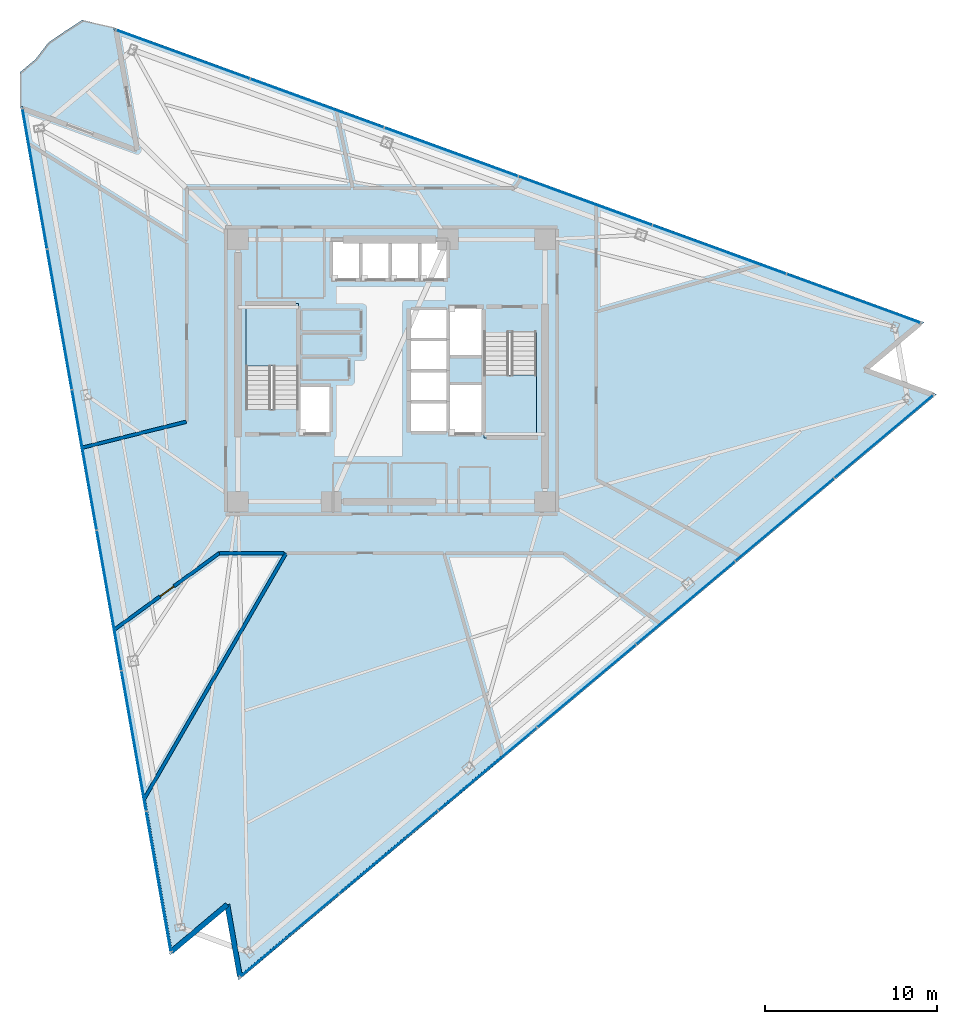
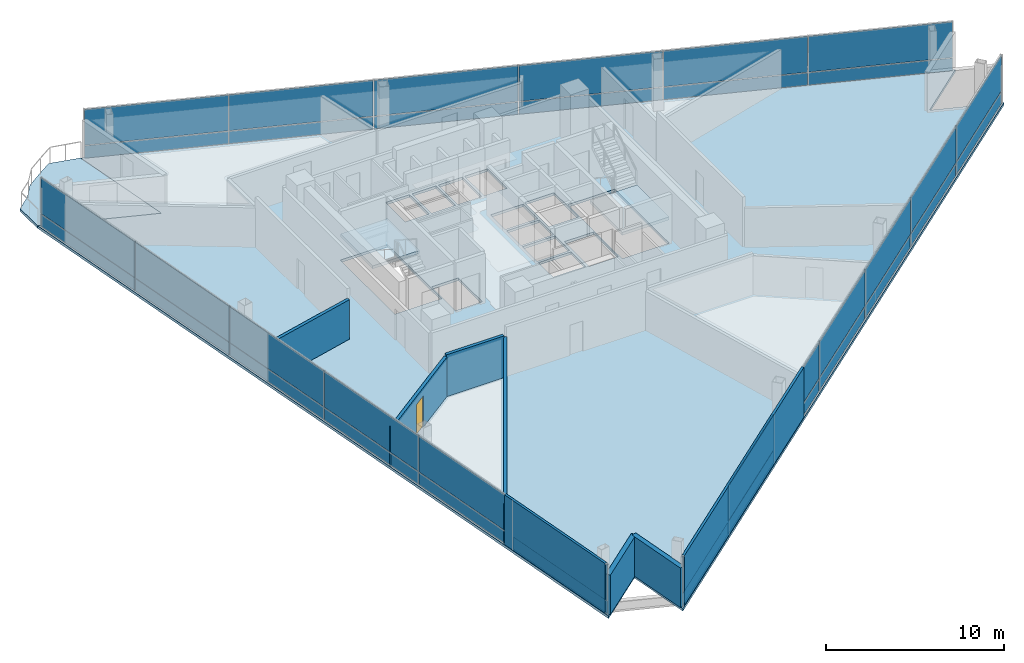
# One storey, part 9 of 15: 38 plates, 8 walls, 4 slabs, 1 door, 1 opening, 5 elements without a shape of their own.
"""IFC4 building model written with IfcOpenShell, lengths in metres."""

from ifc_helpers import new_model, si_unit, direction, frame, frame_2d, origin, origin_2d, place, context, subcontext, project, spatial, polyline, rectangle, outline, extrude, material, layer, layer_set, type_object, element, fill, aggregate, save


model = new_model("IFC4")

# Units and contexts
model_context = context("Model", 3, precision=1e-05, world=origin(), true_north=direction((0.0, 1.0)))
body_context = subcontext(model_context, "Body", "Model", "MODEL_VIEW")
ifc_project = project(units=[si_unit("LENGTHUNIT", "METRE"), si_unit("AREAUNIT", "SQUARE_METRE"), si_unit("VOLUMEUNIT", "CUBIC_METRE"), si_unit("PLANEANGLEUNIT", "RADIAN"), si_unit("MASSUNIT", "GRAM", prefix="KILO")], contexts=[model_context])

# Site, building, storey
site_placement = place(None, origin())
site = spatial("IfcSite", under=ifc_project, at=site_placement, CompositionType="ELEMENT")
building_placement = place(site_placement, origin())
building = spatial("IfcBuilding", under=site, at=building_placement, Name="Tharavind Bronze Gate", CompositionType="ELEMENT")
storey_placement = place(building_placement, frame((0.0, 0.0, 174.10009765625)))
storey = spatial("IfcBuildingStorey", under=building, at=storey_placement, Name="L44", CompositionType="ELEMENT", Elevation=174.10009765625)

# Curtain wall, plates
ifc_material_1 = material(Name="Anodised Bronze Aluminium", Category="aluminium")
ifc_layer_1 = layer(ifc_material_1, 0.219970703125)
ifc_layer_set_1 = layer_set([ifc_layer_1], Name="Anodised Bronze Aluminium")
curtain_wall_type = type_object("IfcCurtainWallType", Name="UNITISED CURTAIN WALL MID OFFICE", PredefinedType="USERDEFINED", material=ifc_layer_set_1)
curtain_wall_1_placement = place(storey_placement, origin())
curtain_wall_1 = element("IfcCurtainWall", 1, at=curtain_wall_1_placement, inside=storey, type_object=curtain_wall_type, Name="L44 unitised curtain wall mid office CW-L44-S1", ObjectType="UNITISED CURTAIN WALL", PredefinedType="USERDEFINED")
ifc_material_2 = material(Name="Patinated Bronze Alloy Sheet", Category="bronze")
ifc_layer_2 = layer(ifc_material_2, 0.01611328125)
ifc_layer_set_2 = layer_set([ifc_layer_2], Name="Patinated Bronze Alloy Sheet")
plate_type_1 = type_object("IfcPlateType", Name="BRONZE SPANDREL CLADDING PANEL 16", PredefinedType="CURTAIN_PANEL", material=ifc_layer_set_2)
plate_1_placement = place(storey_placement, frame((-20.678466796875, 11.118408203125, 0.0263671875), z_axis=(0.0, 0.0, 1.0), x_axis=(0.173648177667, -0.984807753012, 0.0)))
plate_1 = element("IfcPlate", 2, at=plate_1_placement, type_object=plate_type_1, Name="CW-L44-S1 bronze spandrel panel 1", PredefinedType="CURTAIN_PANEL", context=body_context, shape_type="SweptSolid", body=[
    extrude(rectangle(XDim=8.220458984375, YDim=0.01611328125, at=origin_2d()), origin(), (0.0, 0.0, 1.0), 0.846923828125),
])
plate_2_placement = place(storey_placement, frame((-19.24169921875, 2.970703125, 0.0263671875), z_axis=(0.0, 0.0, 1.0), x_axis=(0.173648177667, -0.984807753012, 0.0)))
plate_2 = element("IfcPlate", 3, at=plate_2_placement, type_object=plate_type_1, Name="CW-L44-S1 bronze spandrel panel 2", PredefinedType="CURTAIN_PANEL", context=body_context, shape_type="SweptSolid", body=[
    extrude(rectangle(XDim=8.220458984375, YDim=0.01611328125, at=origin_2d()), origin(), (0.0, 0.0, 1.0), 0.846923828125),
])
plate_3_placement = place(storey_placement, frame((-17.80517578125, -5.177001953125, 0.0263671875), z_axis=(0.0, 0.0, 1.0), x_axis=(0.173648177667, -0.984807753012, 0.0)))
plate_3 = element("IfcPlate", 4, at=plate_3_placement, type_object=plate_type_1, Name="CW-L44-S1 bronze spandrel panel 3", PredefinedType="CURTAIN_PANEL", context=body_context, shape_type="SweptSolid", body=[
    extrude(rectangle(XDim=8.220458984375, YDim=0.01611328125, at=origin_2d()), origin(), (0.0, 0.0, 1.0), 0.846923828125),
])
plate_4_placement = place(storey_placement, frame((-16.368408203125, -13.32470703125, 0.0263671875), z_axis=(0.0, 0.0, 1.0), x_axis=(0.173648177667, -0.984807753012, 0.0)))
plate_4 = element("IfcPlate", 5, at=plate_4_placement, type_object=plate_type_1, Name="CW-L44-S1 bronze spandrel panel 4", PredefinedType="CURTAIN_PANEL", context=body_context, shape_type="SweptSolid", body=[
    extrude(rectangle(XDim=8.220458984375, YDim=0.01611328125, at=origin_2d()), origin(), (0.0, 0.0, 1.0), 0.846923828125),
])
plate_5_placement = place(storey_placement, frame((-14.931884765625, -21.472412109375, 0.0263671875), z_axis=(0.0, 0.0, 1.0), x_axis=(0.173648177667, -0.984807753012, 0.0)))
plate_5 = element("IfcPlate", 6, at=plate_5_placement, type_object=plate_type_1, Name="CW-L44-S1 bronze spandrel panel 5", PredefinedType="CURTAIN_PANEL", context=body_context, shape_type="SweptSolid", body=[
    extrude(rectangle(XDim=8.220458984375, YDim=0.01611328125, at=origin_2d()), origin(), (0.0, 0.0, 1.0), 0.846923828125),
])
plate_6_placement = place(storey_placement, frame((-13.4951171875, -29.6201171875, 0.0263671875), z_axis=(0.0, 0.0, 1.0), x_axis=(0.173648177667, -0.984807753012, 0.0)))
plate_6 = element("IfcPlate", 7, at=plate_6_placement, type_object=plate_type_1, Name="CW-L44-S1 bronze spandrel panel 6", PredefinedType="CURTAIN_PANEL", context=body_context, shape_type="SweptSolid", body=[
    extrude(rectangle(XDim=8.220458984375, YDim=0.01611328125, at=origin_2d()), origin(), (0.0, 0.0, 1.0), 0.846923828125),
])

curtain_wall_2_placement = place(storey_placement, origin())
curtain_wall_2 = element("IfcCurtainWall", 8, at=curtain_wall_2_placement, inside=storey, type_object=curtain_wall_type, Name="L44 unitised curtain wall mid office CW-L44-S2", ObjectType="UNITISED CURTAIN WALL", PredefinedType="USERDEFINED")
plate_7_placement = place(storey_placement, frame((-5.913818359375, -32.737548828125, 0.0263671875), z_axis=(0.0, 0.0, 1.0), x_axis=(0.766043321242, 0.642788946685, 0.0)))
plate_7 = element("IfcPlate", 9, at=plate_7_placement, type_object=plate_type_1, Name="CW-L44-S2 bronze spandrel panel 1", PredefinedType="CURTAIN_PANEL", context=body_context, shape_type="SweptSolid", body=[
    extrude(rectangle(XDim=7.443115234375, YDim=0.01611328125, at=origin_2d()), origin(), (0.0, 0.0, 1.0), 0.846923828125),
])
plate_8_placement = place(storey_placement, frame((-0.171630859375, -27.919189453125, 0.0263671875), z_axis=(0.0, 0.0, 1.0), x_axis=(0.766043321242, 0.642788946685, 0.0)))
plate_8 = element("IfcPlate", 10, at=plate_8_placement, type_object=plate_type_1, Name="CW-L44-S2 bronze spandrel panel 2", PredefinedType="CURTAIN_PANEL", context=body_context, shape_type="SweptSolid", body=[
    extrude(rectangle(XDim=7.443115234375, YDim=0.01611328125, at=origin_2d()), origin(), (0.0, 0.0, 1.0), 0.846923828125),
])
plate_9_placement = place(storey_placement, frame((5.57080078125, -23.100830078125, 0.0263671875), z_axis=(0.0, 0.0, 1.0), x_axis=(0.766043321242, 0.642788946685, 0.0)))
plate_9 = element("IfcPlate", 11, at=plate_9_placement, type_object=plate_type_1, Name="CW-L44-S2 bronze spandrel panel 3", PredefinedType="CURTAIN_PANEL", context=body_context, shape_type="SweptSolid", body=[
    extrude(rectangle(XDim=7.443115234375, YDim=0.01611328125, at=origin_2d()), origin(), (0.0, 0.0, 1.0), 0.846923828125),
])
plate_10_placement = place(storey_placement, frame((11.31298828125, -18.282470703125, 0.0263671875), z_axis=(0.0, 0.0, 1.0), x_axis=(0.766043321242, 0.642788946685, 0.0)))
plate_10 = element("IfcPlate", 12, at=plate_10_placement, type_object=plate_type_1, Name="CW-L44-S2 bronze spandrel panel 4", PredefinedType="CURTAIN_PANEL", context=body_context, shape_type="SweptSolid", body=[
    extrude(rectangle(XDim=7.443115234375, YDim=0.01611328125, at=origin_2d()), origin(), (0.0, 0.0, 1.0), 0.846923828125),
])
plate_11_placement = place(storey_placement, frame((17.055419921875, -13.464111328125, 0.0263671875), z_axis=(0.0, 0.0, 1.0), x_axis=(0.766043321242, 0.642788946685, 0.0)))
plate_11 = element("IfcPlate", 13, at=plate_11_placement, type_object=plate_type_1, Name="CW-L44-S2 bronze spandrel panel 5", PredefinedType="CURTAIN_PANEL", context=body_context, shape_type="SweptSolid", body=[
    extrude(rectangle(XDim=7.443115234375, YDim=0.01611328125, at=origin_2d()), origin(), (0.0, 0.0, 1.0), 0.846923828125),
])
plate_12_placement = place(storey_placement, frame((22.797607421875, -8.645751953125, 0.0263671875), z_axis=(0.0, 0.0, 1.0), x_axis=(0.766043321242, 0.642788946685, 0.0)))
plate_12 = element("IfcPlate", 14, at=plate_12_placement, type_object=plate_type_1, Name="CW-L44-S2 bronze spandrel panel 6", PredefinedType="CURTAIN_PANEL", context=body_context, shape_type="SweptSolid", body=[
    extrude(rectangle(XDim=7.443115234375, YDim=0.01611328125, at=origin_2d()), origin(), (0.0, 0.0, 1.0), 0.846923828125),
])
plate_13_placement = place(storey_placement, frame((28.539794921875, -3.827392578125, 0.0263671875), z_axis=(0.0, 0.0, 1.0), x_axis=(0.766043321242, 0.642788946685, 0.0)))
plate_13 = element("IfcPlate", 15, at=plate_13_placement, type_object=plate_type_1, Name="CW-L44-S2 bronze spandrel panel 7", PredefinedType="CURTAIN_PANEL", context=body_context, shape_type="SweptSolid", body=[
    extrude(rectangle(XDim=7.443115234375, YDim=0.01611328125, at=origin_2d()), origin(), (0.0, 0.0, 1.0), 0.846923828125),
])

curtain_wall_3_placement = place(storey_placement, origin())
curtain_wall_3 = element("IfcCurtainWall", 16, at=curtain_wall_3_placement, inside=storey, type_object=curtain_wall_type, Name="L44 unitised curtain wall mid office CW-L44-S3", ObjectType="UNITISED CURTAIN WALL", PredefinedType="USERDEFINED")
plate_14_placement = place(storey_placement, frame((26.7861328125, 4.18017578125, 0.0263671875), z_axis=(0.0, 0.0, 1.0), x_axis=(-0.939692023847, 0.342021783398, 0.0)))
plate_14 = element("IfcPlate", 17, at=plate_14_placement, type_object=plate_type_1, Name="CW-L44-S3 bronze spandrel panel 1", PredefinedType="CURTAIN_PANEL", context=body_context, shape_type="SweptSolid", body=[
    extrude(rectangle(XDim=8.220458984375, YDim=0.01611328125, at=origin_2d()), origin(), (0.0, 0.0, 1.0), 0.846923828125),
])
plate_15_placement = place(storey_placement, frame((19.01171875, 7.009765625, 0.0263671875), z_axis=(0.0, 0.0, 1.0), x_axis=(-0.939692023847, 0.342021783398, 0.0)))
plate_15 = element("IfcPlate", 18, at=plate_15_placement, type_object=plate_type_1, Name="CW-L44-S3 bronze spandrel panel 2", PredefinedType="CURTAIN_PANEL", context=body_context, shape_type="SweptSolid", body=[
    extrude(rectangle(XDim=8.220458984375, YDim=0.01611328125, at=origin_2d()), origin(), (0.0, 0.0, 1.0), 0.846923828125),
])
plate_16_placement = place(storey_placement, frame((11.2373046875, 9.839599609375, 0.0263671875), z_axis=(0.0, 0.0, 1.0), x_axis=(-0.939692023847, 0.342021783398, 0.0)))
plate_16 = element("IfcPlate", 19, at=plate_16_placement, type_object=plate_type_1, Name="CW-L44-S3 bronze spandrel panel 3", PredefinedType="CURTAIN_PANEL", context=body_context, shape_type="SweptSolid", body=[
    extrude(rectangle(XDim=8.220458984375, YDim=0.01611328125, at=origin_2d()), origin(), (0.0, 0.0, 1.0), 0.846923828125),
])
plate_17_placement = place(storey_placement, frame((3.462890625, 12.669189453125, 0.0263671875), z_axis=(0.0, 0.0, 1.0), x_axis=(-0.939692023847, 0.342021783398, 0.0)))
plate_17 = element("IfcPlate", 20, at=plate_17_placement, type_object=plate_type_1, Name="CW-L44-S3 bronze spandrel panel 4", PredefinedType="CURTAIN_PANEL", context=body_context, shape_type="SweptSolid", body=[
    extrude(rectangle(XDim=8.220458984375, YDim=0.01611328125, at=origin_2d()), origin(), (0.0, 0.0, 1.0), 0.846923828125),
])
plate_18_placement = place(storey_placement, frame((-4.3115234375, 15.498779296875, 0.0263671875), z_axis=(0.0, 0.0, 1.0), x_axis=(-0.939692023847, 0.342021783398, 0.0)))
plate_18 = element("IfcPlate", 21, at=plate_18_placement, type_object=plate_type_1, Name="CW-L44-S3 bronze spandrel panel 5", PredefinedType="CURTAIN_PANEL", context=body_context, shape_type="SweptSolid", body=[
    extrude(rectangle(XDim=8.220458984375, YDim=0.01611328125, at=origin_2d()), origin(), (0.0, 0.0, 1.0), 0.846923828125),
])
plate_19_placement = place(storey_placement, frame((-12.0859375, 18.32861328125, 0.0263671875), z_axis=(0.0, 0.0, 1.0), x_axis=(-0.939692023847, 0.342021783398, 0.0)))
plate_19 = element("IfcPlate", 22, at=plate_19_placement, type_object=plate_type_1, Name="CW-L44-S3 bronze spandrel panel 6", PredefinedType="CURTAIN_PANEL", context=body_context, shape_type="SweptSolid", body=[
    extrude(rectangle(XDim=8.220458984375, YDim=0.01611328125, at=origin_2d()), origin(), (0.0, 0.0, 1.0), 0.846923828125),
])

# Slab
ifc_material_3 = material(Name="Concrete C40/50", Category="concrete")
ifc_layer_3 = layer(ifc_material_3, 0.179931640625)
ifc_layer_set_3 = layer_set([ifc_layer_3], Name="Concrete C40/50")
slab_type_1 = type_object("IfcSlabType", Name="EXTERIOR BALCONY SLAB 180", PredefinedType="FLOOR", material=ifc_layer_set_3)
slab_1_placement = place(storey_placement, frame((0.0, 0.0, -0.18017578125)))
element("IfcSlab", 23, at=slab_1_placement, inside=storey, type_object=slab_type_1, Name="L44 northeast tree balcony slab", PredefinedType="FLOOR", context=body_context, shape_type="SweptSolid", body=[
    extrude(outline(polyline([(-17.92333984375, 20.325927734375), (-18.92236328125, 19.680908203125), (-19.8984375, 19.00830078125), (-20.635009765625, 18.050537109375), (-21.5390625, 17.2919921875), (-21.525390625, 15.345458984375), (-14.872314453125, 12.924072265625), (-16.101806640625, 19.896484375), (-17.92333984375, 20.325927734375)])), origin(), (0.0, 0.0, 1.0), 0.18017578125),
])

# Stair, slab
stair_type = type_object("IfcStairType", Name="CORE HALF TURN STAIR 1450", PredefinedType="HALF_TURN_STAIR", material=ifc_material_3)
stair_1_placement = place(storey_placement, origin())
stair_1 = element("IfcStair", 24, at=stair_1_placement, inside=storey, type_object=stair_type, Name="L44 Protected Exit Stair ST1", PredefinedType="HALF_TURN_STAIR")
ifc_layer_4 = layer(ifc_material_3, 0.199951171875)
ifc_layer_set_4 = layer_set([ifc_layer_4], Name="Concrete C40/50")
slab_type_2 = type_object("IfcSlabType", Name="STAIR LANDING SLAB 200", PredefinedType="LANDING", material=ifc_layer_set_4)
slab_2_placement = place(storey_placement, frame((0.0, 0.0, 1.599853515625)))
slab_2 = element("IfcSlab", 25, at=slab_2_placement, type_object=slab_type_2, Name="ST1 landing 1", PredefinedType="LANDING", context=body_context, shape_type="SweptSolid", body=[
    extrude(outline(polyline([(-5.39990234375, 0.27001953125), (-5.39990234375, 3.89990234375), (-8.449951171875, 3.89990234375), (-8.449951171875, 0.27001953125), (-5.39990234375, 0.27001953125)])), origin(), (0.0, 0.0, 1.0), 0.199951171875),
])
aggregate(stair_1, [slab_2])

stair_2_placement = place(storey_placement, origin())
stair_2 = element("IfcStair", 26, at=stair_2_placement, inside=storey, type_object=stair_type, Name="L44 Protected Exit Stair ST2", PredefinedType="HALF_TURN_STAIR")
slab_3_placement = place(storey_placement, frame((0.0, 0.0, 1.599853515625)))
slab_3 = element("IfcSlab", 27, at=slab_3_placement, type_object=slab_type_2, Name="ST2 landing 1", PredefinedType="LANDING", context=body_context, shape_type="SweptSolid", body=[
    extrude(outline(polyline([(5.35009765625, -0.27001953125), (5.35009765625, -3.89990234375), (8.39990234375, -3.89990234375), (8.39990234375, -0.27001953125), (5.35009765625, -0.27001953125)])), origin(), (0.0, 0.0, 1.0), 0.199951171875),
])
aggregate(stair_2, [slab_3])

# Slab
ifc_layer_5 = layer(ifc_material_3, 0.179931640625)
ifc_layer_set_5 = layer_set([ifc_layer_5], Name="Concrete C40/50")
slab_type_3 = type_object("IfcSlabType", Name="STRUCTURAL FLOOR SLAB 180", PredefinedType="FLOOR", material=ifc_layer_set_5)
slab_4_placement = place(storey_placement, frame((0.0, 0.0, -0.18017578125)))
element("IfcSlab", 28, at=slab_4_placement, inside=storey, type_object=slab_type_3, Name="L44 main structural floor slab", PredefinedType="FLOOR", context=body_context, shape_type="SweptSolid", body=[
    extrude(outline(polyline([(-16.101806640625, 19.896484375), (-14.872314453125, 12.924072265625), (-21.525390625, 15.345458984375), (-12.84521484375, -33.881591796875), (-9.591064453125, -31.151123046875), (-8.853515625, -35.334716796875), (31.60791015625, -1.38330078125), (27.6162109375, 0.069580078125), (30.870361328125, 2.800048828125), (-16.101806640625, 19.896484375)]), holes=[polyline([(-5.39990234375, -2.215087890625), (-5.39990234375, 3.89990234375), (-8.449951171875, 3.89990234375), (-8.449951171875, -2.215087890625), (-5.39990234375, -2.215087890625)]), polyline([(5.35009765625, 2.215087890625), (5.35009765625, -3.89990234375), (8.39990234375, -3.89990234375), (8.39990234375, 2.215087890625), (5.35009765625, 2.215087890625)]), polyline([(-3.419921875, 5.330078125), (-1.867431640625, 5.330078125), (-1.867431640625, 7.52001953125), (-3.419921875, 7.52001953125), (-3.419921875, 5.330078125)]), polyline([(-1.70751953125, 5.330078125), (-0.155029296875, 5.330078125), (-0.155029296875, 7.52001953125), (-1.70751953125, 7.52001953125), (-1.70751953125, 5.330078125)]), polyline([(0.0048828125, 5.330078125), (1.5576171875, 5.330078125), (1.5576171875, 7.52001953125), (0.0048828125, 7.52001953125), (0.0048828125, 5.330078125)]), polyline([(1.717529296875, 5.330078125), (3.199951171875, 5.330078125), (3.199951171875, 7.52001953125), (1.717529296875, 7.52001953125), (1.717529296875, 5.330078125)]), polyline([(1.080078125, -3.52001953125), (3.199951171875, -3.52001953125), (3.199951171875, -1.8798828125), (1.080078125, -1.8798828125), (1.080078125, -3.52001953125)]), polyline([(1.080078125, -1.719970703125), (3.199951171875, -1.719970703125), (3.199951171875, -0.080078125), (1.080078125, -0.080078125), (1.080078125, -1.719970703125)]), polyline([(1.080078125, 0.080078125), (3.199951171875, 0.080078125), (3.199951171875, 1.719970703125), (1.080078125, 1.719970703125), (1.080078125, 0.080078125)]), polyline([(1.080078125, 1.8798828125), (3.199951171875, 1.8798828125), (3.199951171875, 3.52001953125), (1.080078125, 3.52001953125), (1.080078125, 1.8798828125)]), polyline([(-5.320068359375, -3.6201171875), (-3.580078125, -3.6201171875), (-3.580078125, -0.929931640625), (-5.320068359375, -0.929931640625), (-5.320068359375, -3.6201171875)]), polyline([(3.360107421875, 0.8798828125), (5.27001953125, 0.8798828125), (5.27001953125, 3.6201171875), (3.360107421875, 3.6201171875), (3.360107421875, 0.8798828125)]), polyline([(3.360107421875, -3.6201171875), (5.27001953125, -3.6201171875), (5.27001953125, -0.830078125), (3.360107421875, -0.830078125), (3.360107421875, -3.6201171875)])]), origin(), (0.0, 0.0, 1.0), 0.18017578125),
])

# Plate
ifc_material_4 = material(Name="Triple Solar Control Glazing", Category="glass")
ifc_layer_6 = layer(ifc_material_4, 0.0439453125)
ifc_layer_set_6 = layer_set([ifc_layer_6], Name="Triple Solar Control Glazing")
plate_type_2 = type_object("IfcPlateType", Name="TRIPLE GLAZED FACADE PANEL 44", PredefinedType="CURTAIN_PANEL", material=ifc_layer_set_6)
plate_20_placement = place(storey_placement, frame((-20.678466796875, 11.118408203125, 0.92626953125), z_axis=(0.0, 0.0, 1.0), x_axis=(0.173648177667, -0.984807753012, 0.0)))
plate_20 = element("IfcPlate", 29, at=plate_20_placement, type_object=plate_type_2, Name="CW-L44-S1 vision glazing panel 1", PredefinedType="CURTAIN_PANEL", context=body_context, shape_type="SweptSolid", body=[
    extrude(rectangle(XDim=8.220458984375, YDim=0.0439453125, at=origin_2d()), origin(), (0.0, 0.0, 1.0), 2.467041015625),
])

plate_21_placement = place(storey_placement, frame((-19.24169921875, 2.970703125, 0.92626953125), z_axis=(0.0, 0.0, 1.0), x_axis=(0.173648177667, -0.984807753012, 0.0)))
plate_21 = element("IfcPlate", 30, at=plate_21_placement, type_object=plate_type_2, Name="CW-L44-S1 vision glazing panel 2", PredefinedType="CURTAIN_PANEL", context=body_context, shape_type="SweptSolid", body=[
    extrude(rectangle(XDim=8.220458984375, YDim=0.0439453125, at=origin_2d()), origin(), (0.0, 0.0, 1.0), 2.467041015625),
])

plate_22_placement = place(storey_placement, frame((-17.80517578125, -5.177001953125, 0.92626953125), z_axis=(0.0, 0.0, 1.0), x_axis=(0.173648177667, -0.984807753012, 0.0)))
plate_22 = element("IfcPlate", 31, at=plate_22_placement, type_object=plate_type_2, Name="CW-L44-S1 vision glazing panel 3", PredefinedType="CURTAIN_PANEL", context=body_context, shape_type="SweptSolid", body=[
    extrude(rectangle(XDim=8.220458984375, YDim=0.0439453125, at=origin_2d()), origin(), (0.0, 0.0, 1.0), 2.467041015625),
])

plate_23_placement = place(storey_placement, frame((-16.368408203125, -13.32470703125, 0.92626953125), z_axis=(0.0, 0.0, 1.0), x_axis=(0.173648177667, -0.984807753012, 0.0)))
plate_23 = element("IfcPlate", 32, at=plate_23_placement, type_object=plate_type_2, Name="CW-L44-S1 vision glazing panel 4", PredefinedType="CURTAIN_PANEL", context=body_context, shape_type="SweptSolid", body=[
    extrude(rectangle(XDim=8.220458984375, YDim=0.0439453125, at=origin_2d()), origin(), (0.0, 0.0, 1.0), 2.467041015625),
])

plate_24_placement = place(storey_placement, frame((-14.931884765625, -21.472412109375, 0.92626953125), z_axis=(0.0, 0.0, 1.0), x_axis=(0.173648177667, -0.984807753012, 0.0)))
plate_24 = element("IfcPlate", 33, at=plate_24_placement, type_object=plate_type_2, Name="CW-L44-S1 vision glazing panel 5", PredefinedType="CURTAIN_PANEL", context=body_context, shape_type="SweptSolid", body=[
    extrude(rectangle(XDim=8.220458984375, YDim=0.0439453125, at=origin_2d()), origin(), (0.0, 0.0, 1.0), 2.467041015625),
])

plate_25_placement = place(storey_placement, frame((-13.4951171875, -29.6201171875, 0.92626953125), z_axis=(0.0, 0.0, 1.0), x_axis=(0.173648177667, -0.984807753012, 0.0)))
plate_25 = element("IfcPlate", 34, at=plate_25_placement, type_object=plate_type_2, Name="CW-L44-S1 vision glazing panel 6", PredefinedType="CURTAIN_PANEL", context=body_context, shape_type="SweptSolid", body=[
    extrude(rectangle(XDim=8.220458984375, YDim=0.0439453125, at=origin_2d()), origin(), (0.0, 0.0, 1.0), 2.467041015625),
])

aggregate(curtain_wall_1, [plate_1, plate_20, plate_2, plate_21, plate_3, plate_22, plate_4, plate_23, plate_5, plate_24, plate_6, plate_25])

plate_26_placement = place(storey_placement, frame((-5.913818359375, -32.737548828125, 0.92626953125), z_axis=(0.0, 0.0, 1.0), x_axis=(0.766043321242, 0.642788946685, 0.0)))
plate_26 = element("IfcPlate", 35, at=plate_26_placement, type_object=plate_type_2, Name="CW-L44-S2 vision glazing panel 1", PredefinedType="CURTAIN_PANEL", context=body_context, shape_type="SweptSolid", body=[
    extrude(rectangle(XDim=7.443115234375, YDim=0.0439453125, at=origin_2d()), origin(), (0.0, 0.0, 1.0), 2.467041015625),
])

plate_27_placement = place(storey_placement, frame((-0.171630859375, -27.919189453125, 0.92626953125), z_axis=(0.0, 0.0, 1.0), x_axis=(0.766043321242, 0.642788946685, 0.0)))
plate_27 = element("IfcPlate", 36, at=plate_27_placement, type_object=plate_type_2, Name="CW-L44-S2 vision glazing panel 2", PredefinedType="CURTAIN_PANEL", context=body_context, shape_type="SweptSolid", body=[
    extrude(rectangle(XDim=7.443115234375, YDim=0.0439453125, at=origin_2d()), origin(), (0.0, 0.0, 1.0), 2.467041015625),
])

plate_28_placement = place(storey_placement, frame((5.57080078125, -23.100830078125, 0.92626953125), z_axis=(0.0, 0.0, 1.0), x_axis=(0.766043321242, 0.642788946685, 0.0)))
plate_28 = element("IfcPlate", 37, at=plate_28_placement, type_object=plate_type_2, Name="CW-L44-S2 vision glazing panel 3", PredefinedType="CURTAIN_PANEL", context=body_context, shape_type="SweptSolid", body=[
    extrude(rectangle(XDim=7.443115234375, YDim=0.0439453125, at=origin_2d()), origin(), (0.0, 0.0, 1.0), 2.467041015625),
])

plate_29_placement = place(storey_placement, frame((11.31298828125, -18.282470703125, 0.92626953125), z_axis=(0.0, 0.0, 1.0), x_axis=(0.766043321242, 0.642788946685, 0.0)))
plate_29 = element("IfcPlate", 38, at=plate_29_placement, type_object=plate_type_2, Name="CW-L44-S2 vision glazing panel 4", PredefinedType="CURTAIN_PANEL", context=body_context, shape_type="SweptSolid", body=[
    extrude(rectangle(XDim=7.443115234375, YDim=0.0439453125, at=origin_2d()), origin(), (0.0, 0.0, 1.0), 2.467041015625),
])

plate_30_placement = place(storey_placement, frame((17.055419921875, -13.464111328125, 0.92626953125), z_axis=(0.0, 0.0, 1.0), x_axis=(0.766043321242, 0.642788946685, 0.0)))
plate_30 = element("IfcPlate", 39, at=plate_30_placement, type_object=plate_type_2, Name="CW-L44-S2 vision glazing panel 5", PredefinedType="CURTAIN_PANEL", context=body_context, shape_type="SweptSolid", body=[
    extrude(rectangle(XDim=7.443115234375, YDim=0.0439453125, at=origin_2d()), origin(), (0.0, 0.0, 1.0), 2.467041015625),
])

plate_31_placement = place(storey_placement, frame((22.797607421875, -8.645751953125, 0.92626953125), z_axis=(0.0, 0.0, 1.0), x_axis=(0.766043321242, 0.642788946685, 0.0)))
plate_31 = element("IfcPlate", 40, at=plate_31_placement, type_object=plate_type_2, Name="CW-L44-S2 vision glazing panel 6", PredefinedType="CURTAIN_PANEL", context=body_context, shape_type="SweptSolid", body=[
    extrude(rectangle(XDim=7.443115234375, YDim=0.0439453125, at=origin_2d()), origin(), (0.0, 0.0, 1.0), 2.467041015625),
])

plate_32_placement = place(storey_placement, frame((28.539794921875, -3.827392578125, 0.92626953125), z_axis=(0.0, 0.0, 1.0), x_axis=(0.766043321242, 0.642788946685, 0.0)))
plate_32 = element("IfcPlate", 41, at=plate_32_placement, type_object=plate_type_2, Name="CW-L44-S2 vision glazing panel 7", PredefinedType="CURTAIN_PANEL", context=body_context, shape_type="SweptSolid", body=[
    extrude(rectangle(XDim=7.443115234375, YDim=0.0439453125, at=origin_2d()), origin(), (0.0, 0.0, 1.0), 2.467041015625),
])

aggregate(curtain_wall_2, [plate_7, plate_26, plate_8, plate_27, plate_9, plate_28, plate_10, plate_29, plate_11, plate_30, plate_12, plate_31, plate_13, plate_32])

plate_33_placement = place(storey_placement, frame((26.7861328125, 4.18017578125, 0.92626953125), z_axis=(0.0, 0.0, 1.0), x_axis=(-0.939692023847, 0.342021783398, 0.0)))
plate_33 = element("IfcPlate", 42, at=plate_33_placement, type_object=plate_type_2, Name="CW-L44-S3 vision glazing panel 1", PredefinedType="CURTAIN_PANEL", context=body_context, shape_type="SweptSolid", body=[
    extrude(rectangle(XDim=8.220458984375, YDim=0.0439453125, at=origin_2d()), origin(), (0.0, 0.0, 1.0), 2.467041015625),
])

plate_34_placement = place(storey_placement, frame((19.01171875, 7.009765625, 0.92626953125), z_axis=(0.0, 0.0, 1.0), x_axis=(-0.939692023847, 0.342021783398, 0.0)))
plate_34 = element("IfcPlate", 43, at=plate_34_placement, type_object=plate_type_2, Name="CW-L44-S3 vision glazing panel 2", PredefinedType="CURTAIN_PANEL", context=body_context, shape_type="SweptSolid", body=[
    extrude(rectangle(XDim=8.220458984375, YDim=0.0439453125, at=origin_2d()), origin(), (0.0, 0.0, 1.0), 2.467041015625),
])

plate_35_placement = place(storey_placement, frame((11.2373046875, 9.839599609375, 0.92626953125), z_axis=(0.0, 0.0, 1.0), x_axis=(-0.939692023847, 0.342021783398, 0.0)))
plate_35 = element("IfcPlate", 44, at=plate_35_placement, type_object=plate_type_2, Name="CW-L44-S3 vision glazing panel 3", PredefinedType="CURTAIN_PANEL", context=body_context, shape_type="SweptSolid", body=[
    extrude(rectangle(XDim=8.220458984375, YDim=0.0439453125, at=origin_2d()), origin(), (0.0, 0.0, 1.0), 2.467041015625),
])

plate_36_placement = place(storey_placement, frame((3.462890625, 12.669189453125, 0.92626953125), z_axis=(0.0, 0.0, 1.0), x_axis=(-0.939692023847, 0.342021783398, 0.0)))
plate_36 = element("IfcPlate", 45, at=plate_36_placement, type_object=plate_type_2, Name="CW-L44-S3 vision glazing panel 4", PredefinedType="CURTAIN_PANEL", context=body_context, shape_type="SweptSolid", body=[
    extrude(rectangle(XDim=8.220458984375, YDim=0.0439453125, at=origin_2d()), origin(), (0.0, 0.0, 1.0), 2.467041015625),
])

plate_37_placement = place(storey_placement, frame((-4.3115234375, 15.498779296875, 0.92626953125), z_axis=(0.0, 0.0, 1.0), x_axis=(-0.939692023847, 0.342021783398, 0.0)))
plate_37 = element("IfcPlate", 46, at=plate_37_placement, type_object=plate_type_2, Name="CW-L44-S3 vision glazing panel 5", PredefinedType="CURTAIN_PANEL", context=body_context, shape_type="SweptSolid", body=[
    extrude(rectangle(XDim=8.220458984375, YDim=0.0439453125, at=origin_2d()), origin(), (0.0, 0.0, 1.0), 2.467041015625),
])

plate_38_placement = place(storey_placement, frame((-12.0859375, 18.32861328125, 0.92626953125), z_axis=(0.0, 0.0, 1.0), x_axis=(-0.939692023847, 0.342021783398, 0.0)))
plate_38 = element("IfcPlate", 47, at=plate_38_placement, type_object=plate_type_2, Name="CW-L44-S3 vision glazing panel 6", PredefinedType="CURTAIN_PANEL", context=body_context, shape_type="SweptSolid", body=[
    extrude(rectangle(XDim=8.220458984375, YDim=0.0439453125, at=origin_2d()), origin(), (0.0, 0.0, 1.0), 2.467041015625),
])

aggregate(curtain_wall_3, [plate_14, plate_33, plate_15, plate_34, plate_16, plate_35, plate_17, plate_36, plate_18, plate_37, plate_19, plate_38])

# Walls
ifc_layer_7 = layer(ifc_material_3, 0.300048828125)
ifc_layer_set_7 = layer_set([ifc_layer_7], Name="Concrete C40/50")
wall_type_1 = type_object("IfcWallType", Name="EXTERIOR SPANDREL WALL 300", PredefinedType="STANDARD", material=ifc_layer_set_7)
for number, where, z_axis, x_axis, name in (
    (48, (-12.77685546875, -33.69384765625, 0.0), (0.0, 0.0, 1.0), (0.766026302848, 0.6428092278, 0.0), "L44 notch cheek wall 2A"),
    (49, (-9.522705078125, -30.963134765625, 0.0), (0.0, 0.0, 1.0), (0.173673864443, -0.984803223395, 0.0), "L44 notch cheek wall 2B"),
):
    element("IfcWall", number, at=place(storey_placement, frame(where, z_axis=z_axis, x_axis=x_axis)), inside=storey, type_object=wall_type_1, Name=name, PredefinedType="STANDARD", context=body_context, shape_type="SweptSolid", body=[
        extrude(rectangle(XDim=4.248046875, YDim=0.300048828125, at=frame_2d((2.1240234375, 0.0))), origin(), (0.0, 0.0, 1.0), 2.71484375),
    ])
ifc_material_5 = material(Name="Aerated Concrete Block", Category="concrete")
ifc_layer_8 = layer(ifc_material_5, 0.199951171875)
ifc_layer_set_8 = layer_set([ifc_layer_8], Name="Aerated Concrete Block")
wall_type_2 = type_object("IfcWallType", Name="FIRE RATED PARTITION 200", PredefinedType="PARTITIONING", material=ifc_layer_set_8)
wall_1_placement = place(storey_placement, frame((-11.89892578125, -2.966796875, 0.0), z_axis=(0.0, 0.0, 1.0), x_axis=(-0.970297784216, -0.241913641505, 0.0)))
element("IfcWall", 50, at=wall_1_placement, inside=storey, type_object=wall_type_2, Name="L44 Public Restrooms Block partition", PredefinedType="PARTITIONING", context=body_context, shape_type="SweptSolid", body=[
    extrude(rectangle(XDim=6.1884765625, YDim=0.199951171875, at=frame_2d((3.09423828125, 0.0))), origin(), (0.0, 0.0, 1.0), 2.71484375),
])
wall_2_placement = place(storey_placement, frame((-14.334228515625, -24.82763671875, 0.0), z_axis=(0.0, 0.0, 1.0), x_axis=(0.500004877517, 0.866022587731, 0.0)))
element("IfcWall", 51, at=wall_2_placement, inside=storey, type_object=wall_type_2, Name="L44 Public Restrooms Block partition", PredefinedType="PARTITIONING", context=body_context, shape_type="SweptSolid", body=[
    extrude(rectangle(XDim=16.437255859375, YDim=0.199951171875, at=frame_2d((8.21875, 0.0))), origin(), (0.0, 0.0, 1.0), 2.71484375),
])

# Wall, opening, door
wall_3_placement = place(storey_placement, frame((-16.06884765625, -15.023681640625, 0.0), z_axis=(0.0, 0.0, 1.0), x_axis=(0.807835167635, 0.589408467815, 0.0)))
wall_3 = element("IfcWall", 52, at=wall_3_placement, inside=storey, type_object=wall_type_2, Name="L44 Policy Research Office partition", PredefinedType="PARTITIONING", context=body_context, shape_type="SweptSolid", body=[
    extrude(rectangle(XDim=7.53125, YDim=0.199951171875, at=frame_2d((3.765625, 0.0))), origin(), (0.0, 0.0, 1.0), 2.71484375),
])
opening_placement = place(wall_3_placement, frame((3.26611328125, 0.0, 0.0)))
opening = element("IfcOpeningElement", 53, at=opening_placement, cuts=wall_3, Name="Opening ID04", PredefinedType="OPENING", context=body_context, shape_type="SweptSolid", body=[
    extrude(rectangle(XDim=1.0, YDim=2.14990234375, at=frame_2d((0.5, 1.074951171875))), frame((0.0, 0.11009765625, 0.0), z_axis=(0.0, -1.0, 0.0), x_axis=(1.0, 0.0, 0.0)), (0.0, 0.0, 1.0), 0.219951171875),
])
ifc_material_6 = material(Name="Bronze Framed Acoustic Timber", Category="wood")
door_type = type_object("IfcDoorType", Name="OFFICE TENANCY DOOR 1000X2150", OperationType="SINGLE_SWING_RIGHT", PredefinedType="DOOR", material=ifc_material_6)
door_placement = place(opening_placement, origin())
door = element("IfcDoor", 54, at=door_placement, inside=storey, type_object=door_type, Name="L44 Policy Research Office door", OperationType="SINGLE_SWING_RIGHT", OverallHeight=2.14990234375, OverallWidth=1.0, PredefinedType="DOOR", context=body_context, shape_type="SweptSolid", body=[
    extrude(rectangle(XDim=1.0, YDim=2.14990234375, at=frame_2d((0.5, 1.074951171875))), frame((0.0, 0.02490234375, 0.0), z_axis=(0.0, -1.0, 0.0), x_axis=(1.0, 0.0, 0.0)), (0.0, 0.0, 1.0), 0.050048828125),
])
fill(opening, door)

# Walls
wall_4_placement = place(storey_placement, frame((-9.969970703125, -10.580078125, 0.0), z_axis=(0.0, 0.0, 1.0), x_axis=(1.0, 0.0, 0.0)))
element("IfcWall", 55, at=wall_4_placement, inside=storey, type_object=wall_type_2, Name="L44 Policy Research Office partition", PredefinedType="PARTITIONING", context=body_context, shape_type="SweptSolid", body=[
    extrude(rectangle(XDim=3.740478515625, YDim=0.199951171875, at=frame_2d((1.8701171875, 0.0))), origin(), (0.0, 0.0, 1.0), 2.864990234375),
])
ifc_material_7 = material(Name="Twin Stud Acoustic Gypsum", Category="gypsum")
ifc_layer_9 = layer(ifc_material_7, 0.14990234375)
ifc_layer_set_9 = layer_set([ifc_layer_9], Name="Twin Stud Acoustic Gypsum")
wall_type_3 = type_object("IfcWallType", Name="INTERIOR PARTITION WALL 150", PredefinedType="PARTITIONING", material=ifc_layer_set_9)
wall_5_placement = place(storey_placement, frame((-12.807861328125, -33.517578125, 0.0), z_axis=(0.0, 0.0, 1.0), x_axis=(-0.173647747775, 0.984807828814, 0.0)))
element("IfcWall", 56, at=wall_5_placement, inside=storey, type_object=wall_type_3, Name="L44 Public Restrooms Block partition", PredefinedType="PARTITIONING", context=body_context, shape_type="SweptSolid", body=[
    extrude(rectangle(XDim=8.806884765625, YDim=0.14990234375, at=frame_2d((4.4033203125, 0.0))), origin(), (0.0, 0.0, 1.0), 3.419921875),
])
wall_6_placement = place(storey_placement, frame((6.4072265625, -22.398681640625, 0.0), z_axis=(0.0, 0.0, 1.0), x_axis=(-0.766037823796, -0.642795498206, 0.0)))
element("IfcWall", 57, at=wall_6_placement, inside=storey, type_object=wall_type_3, Name="L44 Public Restrooms Block partition", PredefinedType="PARTITIONING", context=body_context, shape_type="SweptSolid", body=[
    extrude(rectangle(XDim=19.6533203125, YDim=0.14990234375, at=frame_2d((9.82666015625, 0.0))), origin(), (0.0, 0.0, 1.0), 3.419921875),
])

save(model, "model.ifc")
